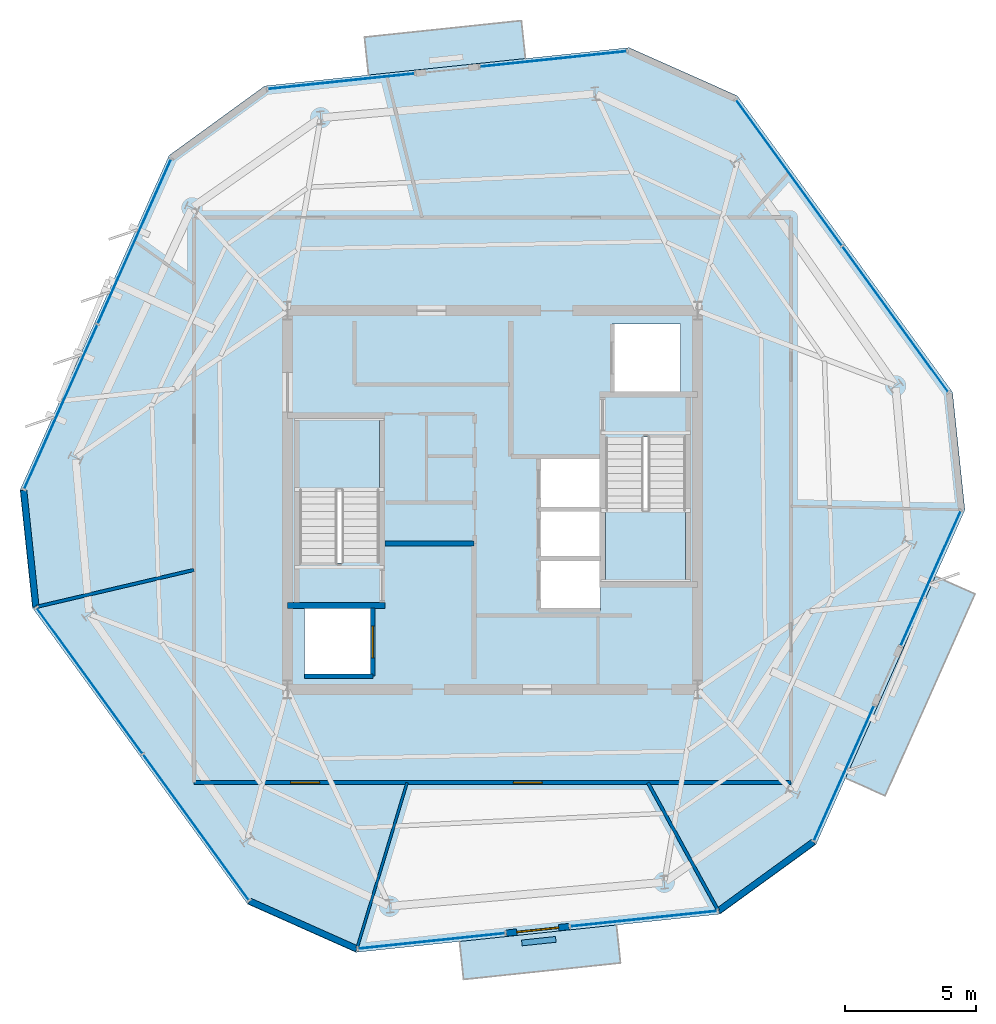
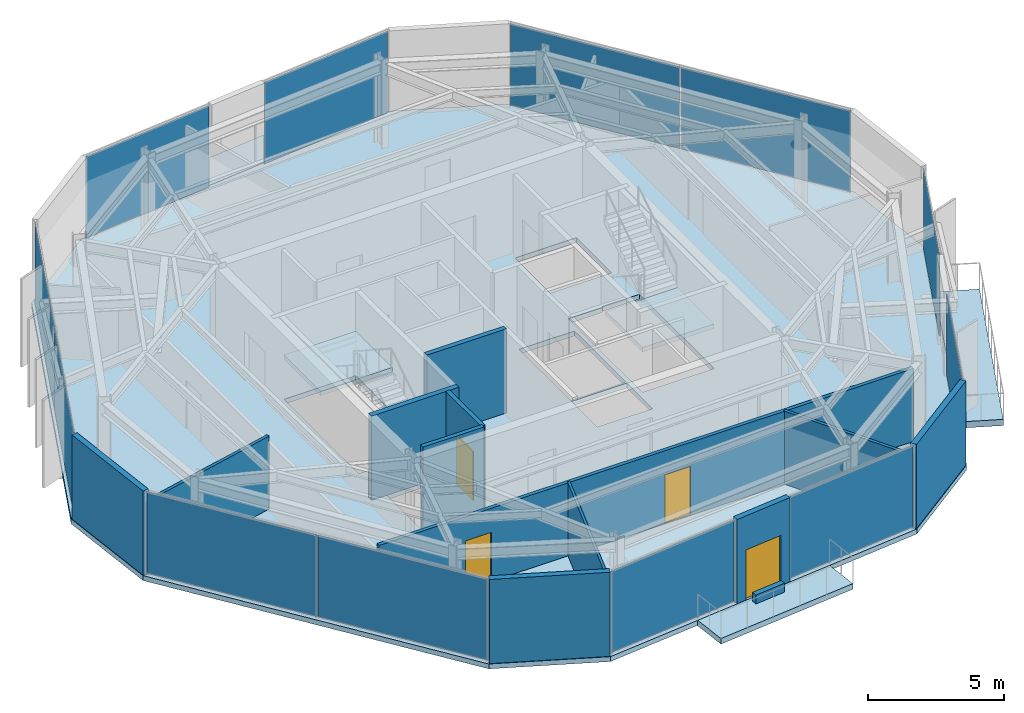
# One storey, part 6 of 11: 13 walls, 12 plates, 6 slabs, 4 doors, 4 openings, 11 elements without a shape of their own.
"""IFC4 building model written with IfcOpenShell, lengths in metres."""

from ifc_helpers import new_model, si_unit, direction, frame, frame_2d, origin, origin_2d, place, context, subcontext, project, spatial, polyline, rectangle, outline, extrude, material, layer, layer_set, type_object, element, fill, aggregate, save


model = new_model("IFC4")

# Units and contexts
model_context = context("Model", 3, precision=1e-05, world=origin(), true_north=direction((0.0, 1.0)))
body_context = subcontext(model_context, "Body", "Model", "MODEL_VIEW")
ifc_project = project(units=[si_unit("LENGTHUNIT", "METRE"), si_unit("AREAUNIT", "SQUARE_METRE"), si_unit("VOLUMEUNIT", "CUBIC_METRE"), si_unit("PLANEANGLEUNIT", "RADIAN"), si_unit("MASSUNIT", "GRAM", prefix="KILO")], contexts=[model_context])

# Site, building, storey
site_placement = place(None, origin())
site = spatial("IfcSite", under=ifc_project, at=site_placement, CompositionType="ELEMENT")
building_placement = place(site_placement, origin())
building = spatial("IfcBuilding", under=site, at=building_placement, Name="Kranzbogen Civic Tower", CompositionType="ELEMENT")
storey_placement = place(building_placement, frame((0.0, 0.0, 290.199951171875)))
storey = spatial("IfcBuildingStorey", under=building, at=storey_placement, Name="L70", CompositionType="ELEMENT", Elevation=290.199951171875)

# Slab
ifc_material_1 = material(Name="Concrete C40/50", Category="concrete")
ifc_layer_1 = layer(ifc_material_1, 0.219970703125, Name="Concrete C40/50")
ifc_layer_set_1 = layer_set([ifc_layer_1], Name="Concrete C40/50")
slab_type_1 = type_object("IfcSlabType", Name="Composite Upper Tower Floor Slab 220 mm", PredefinedType="FLOOR", material=ifc_layer_set_1)
slab_1_placement = place(storey_placement, frame((0.0, 0.0, -0.219970703125)))
element("IfcSlab", 1, at=slab_1_placement, inside=storey, type_object=slab_type_1, Name="L70 tower floor slab", PredefinedType="FLOOR", context=body_context, shape_type="SweptSolid", body=[
    extrude(outline(polyline([(30.197021484375, 42.2041015625), (16.340087890625, 40.748046875), (12.698974609375, 38.10302734375), (7.031982421875, 25.3740234375), (7.5029296875, 20.89892578125), (15.69189453125, 9.6259765625), (19.802978515625, 7.7958984375), (33.659912109375, 9.251953125), (37.301025390625, 11.89697265625), (42.968017578125, 24.6259765625), (42.4970703125, 29.10107421875), (34.30810546875, 40.3740234375), (30.197021484375, 42.2041015625)]), holes=[polyline([(17.85009765625, 20.89990234375), (20.449951171875, 20.89990234375), (20.449951171875, 18.300048828125), (17.85009765625, 18.300048828125), (17.85009765625, 20.89990234375)]), polyline([(29.10009765625, 22.699951171875), (29.10009765625, 20.800048828125), (26.75, 20.800048828125), (26.75, 22.699951171875), (29.10009765625, 22.699951171875)]), polyline([(29.10009765625, 24.64990234375), (29.10009765625, 22.77490234375), (26.75, 22.77490234375), (26.75, 24.64990234375), (26.75, 24.675048828125), (26.75, 26.550048828125), (29.10009765625, 26.550048828125), (29.10009765625, 24.675048828125), (29.10009765625, 24.64990234375)]), polyline([(29.300048828125, 27.340087890625), (30.75, 27.340087890625), (30.75, 27.39990234375), (32.35009765625, 27.39990234375), (32.35009765625, 21.89990234375), (29.300048828125, 21.89990234375), (29.300048828125, 27.340087890625)]), polyline([(20.699951171875, 22.659912109375), (19.25, 22.659912109375), (19.25, 22.60009765625), (17.64990234375, 22.60009765625), (17.64990234375, 28.10009765625), (20.699951171875, 28.10009765625), (20.699951171875, 22.659912109375)]), polyline([(32.14990234375, 31.699951171875), (32.14990234375, 29.10009765625), (29.550048828125, 29.10009765625), (29.550048828125, 31.699951171875), (32.14990234375, 31.699951171875)])]), origin(), (0.0, 0.0, 1.0), 0.219970703125),
])

# Curtain wall, plate
ifc_material_2 = material(Name="Pale Anodised Aluminium", Category="aluminium")
ifc_layer_2 = layer(ifc_material_2, 0.219970703125, Name="Pale Anodised Aluminium")
ifc_layer_set_2 = layer_set([ifc_layer_2], Name="Pale Anodised Aluminium")
curtain_wall_type = type_object("IfcCurtainWallType", Name="Zone 4 Stick Curtain Wall System CW-05", PredefinedType="USERDEFINED", material=ifc_layer_set_2)
curtain_wall_1_placement = place(storey_placement, origin())
curtain_wall_1 = element("IfcCurtainWall", 2, at=curtain_wall_1_placement, inside=storey, type_object=curtain_wall_type, Name="L70 curtain wall CW-L70-F1-S1", ObjectType="STICK CURTAIN WALL", PredefinedType="USERDEFINED")
ifc_material_3 = material(Name="Low-E Triple Glazing Glass", Category="glass")
ifc_layer_3 = layer(ifc_material_3, 0.028076171875, Name="Low-E Triple Glazing Glass")
ifc_layer_set_3 = layer_set([ifc_layer_3], Name="Low-E Triple Glazing Glass")
plate_type = type_object("IfcPlateType", Name="Insulated Low-E Glazing Panel 28 mm", PredefinedType="CURTAIN_PANEL", material=ifc_layer_set_3)
plate_1_placement = place(storey_placement, frame((27.31591796875, 41.771484375, 0.06005859375), z_axis=(0.0, 0.0, 1.0), x_axis=(-0.994525575058, -0.10449344743, 0.0)))
plate_1 = element("IfcPlate", 3, at=plate_1_placement, type_object=plate_type, Name="CW-05 panel 1.1", PredefinedType="CURTAIN_PANEL", context=body_context, shape_type="SweptSolid", body=[
    extrude(rectangle(XDim=5.59326171875, YDim=0.028076171875, at=origin_2d()), origin(), (0.0, 0.0, 1.0), 3.659912109375),
])
aggregate(curtain_wall_1, [plate_1])

curtain_wall_2_placement = place(storey_placement, origin())
curtain_wall_2 = element("IfcCurtainWall", 4, at=curtain_wall_2_placement, inside=storey, type_object=curtain_wall_type, Name="L70 curtain wall CW-L70-F1-S2", ObjectType="STICK CURTAIN WALL", PredefinedType="USERDEFINED")
plate_2_placement = place(storey_placement, frame((19.24755859375, 40.923583984375, 0.06005859375), z_axis=(0.0, 0.0, 1.0), x_axis=(-0.994523663418, -0.104511640032, 0.0)))
plate_2 = element("IfcPlate", 5, at=plate_2_placement, type_object=plate_type, Name="CW-05 panel 1.1", PredefinedType="CURTAIN_PANEL", context=body_context, shape_type="SweptSolid", body=[
    extrude(rectangle(XDim=5.59228515625, YDim=0.028076171875, at=origin_2d()), origin(), (0.0, 0.0, 1.0), 3.659912109375),
])
aggregate(curtain_wall_2, [plate_2])

# Curtain wall, plates
curtain_wall_3_placement = place(storey_placement, origin())
curtain_wall_3 = element("IfcCurtainWall", 6, at=curtain_wall_3_placement, inside=storey, type_object=curtain_wall_type, Name="L70 curtain wall CW-L70-F2", ObjectType="STICK CURTAIN WALL", PredefinedType="USERDEFINED")
plate_3_placement = place(storey_placement, frame((11.383056640625, 34.829833984375, 0.06005859375), z_axis=(0.0, 0.0, 1.0), x_axis=(-0.406722258153, -0.913551862087, 0.0)))
plate_3 = element("IfcPlate", 7, at=plate_3_placement, type_object=plate_type, Name="CW-05 panel 1.1", PredefinedType="CURTAIN_PANEL", context=body_context, shape_type="SweptSolid", body=[
    extrude(rectangle(XDim=6.822509765625, YDim=0.028076171875, at=origin_2d()), origin(), (0.0, 0.0, 1.0), 3.659912109375),
])
plate_4_placement = place(storey_placement, frame((8.583740234375, 28.542236328125, 0.06005859375), z_axis=(0.0, 0.0, 1.0), x_axis=(-0.406722258153, -0.913551862087, 0.0)))
plate_4 = element("IfcPlate", 8, at=plate_4_placement, type_object=plate_type, Name="CW-05 panel 2.1", PredefinedType="CURTAIN_PANEL", context=body_context, shape_type="SweptSolid", body=[
    extrude(rectangle(XDim=6.822509765625, YDim=0.028076171875, at=origin_2d()), origin(), (0.0, 0.0, 1.0), 3.659912109375),
])
aggregate(curtain_wall_3, [plate_3, plate_4])

curtain_wall_4_placement = place(storey_placement, origin())
curtain_wall_4 = element("IfcCurtainWall", 9, at=curtain_wall_4_placement, inside=storey, type_object=curtain_wall_type, Name="L70 curtain wall CW-L70-F3", ObjectType="STICK CURTAIN WALL", PredefinedType="USERDEFINED")
plate_5_placement = place(storey_placement, frame((9.67919921875, 18.12255859375, 0.06005859375), z_axis=(0.0, 0.0, 1.0), x_axis=(0.587767348667, -0.809030001817, 0.0)))
plate_5 = element("IfcPlate", 10, at=plate_5_placement, type_object=plate_type, Name="CW-05 panel 1.1", PredefinedType="CURTAIN_PANEL", context=body_context, shape_type="SweptSolid", body=[
    extrude(rectangle(XDim=6.822509765625, YDim=0.028076171875, at=origin_2d()), origin(), (0.0, 0.0, 1.0), 3.659912109375),
])
plate_6_placement = place(storey_placement, frame((13.724609375, 12.554443359375, 0.06005859375), z_axis=(0.0, 0.0, 1.0), x_axis=(0.587767348667, -0.809030001817, 0.0)))
plate_6 = element("IfcPlate", 11, at=plate_6_placement, type_object=plate_type, Name="CW-05 panel 2.1", PredefinedType="CURTAIN_PANEL", context=body_context, shape_type="SweptSolid", body=[
    extrude(rectangle(XDim=6.822509765625, YDim=0.028076171875, at=origin_2d()), origin(), (0.0, 0.0, 1.0), 3.659912109375),
])
aggregate(curtain_wall_4, [plate_5, plate_6])

# Curtain wall, plate
curtain_wall_5_placement = place(storey_placement, origin())
curtain_wall_5 = element("IfcCurtainWall", 12, at=curtain_wall_5_placement, inside=storey, type_object=curtain_wall_type, Name="L70 curtain wall CW-L70-F4-S1", ObjectType="STICK CURTAIN WALL", PredefinedType="USERDEFINED")
plate_7_placement = place(storey_placement, frame((22.68408203125, 8.228515625, 0.06005859375), z_axis=(0.0, 0.0, 1.0), x_axis=(0.994525575058, 0.10449344743, 0.0)))
plate_7 = element("IfcPlate", 13, at=plate_7_placement, type_object=plate_type, Name="CW-05 panel 1.1", PredefinedType="CURTAIN_PANEL", context=body_context, shape_type="SweptSolid", body=[
    extrude(rectangle(XDim=5.59326171875, YDim=0.028076171875, at=origin_2d()), origin(), (0.0, 0.0, 1.0), 3.659912109375),
])
aggregate(curtain_wall_5, [plate_7])

curtain_wall_6_placement = place(storey_placement, origin())
curtain_wall_6 = element("IfcCurtainWall", 14, at=curtain_wall_6_placement, inside=storey, type_object=curtain_wall_type, Name="L70 curtain wall CW-L70-F4-S2", ObjectType="STICK CURTAIN WALL", PredefinedType="USERDEFINED")
plate_8_placement = place(storey_placement, frame((30.75244140625, 9.076416015625, 0.06005859375), z_axis=(0.0, 0.0, 1.0), x_axis=(0.994523663418, 0.104511640032, 0.0)))
plate_8 = element("IfcPlate", 15, at=plate_8_placement, type_object=plate_type, Name="CW-05 panel 1.1", PredefinedType="CURTAIN_PANEL", context=body_context, shape_type="SweptSolid", body=[
    extrude(rectangle(XDim=5.59228515625, YDim=0.028076171875, at=origin_2d()), origin(), (0.0, 0.0, 1.0), 3.659912109375),
])
aggregate(curtain_wall_6, [plate_8])

curtain_wall_7_placement = place(storey_placement, origin())
curtain_wall_7 = element("IfcCurtainWall", 16, at=curtain_wall_7_placement, inside=storey, type_object=curtain_wall_type, Name="L70 curtain wall CW-L70-F5-S1", ObjectType="STICK CURTAIN WALL", PredefinedType="USERDEFINED")
plate_9_placement = place(storey_placement, frame((38.366943359375, 14.6083984375, 0.06005859375), z_axis=(0.0, 0.0, 1.0), x_axis=(0.406787988474, 0.913522595469, 0.0)))
plate_9 = element("IfcPlate", 17, at=plate_9_placement, type_object=plate_type, Name="CW-05 panel 1.1", PredefinedType="CURTAIN_PANEL", context=body_context, shape_type="SweptSolid", body=[
    extrude(rectangle(XDim=5.593017578125, YDim=0.028076171875, at=origin_2d()), origin(), (0.0, 0.0, 1.0), 3.659912109375),
])
aggregate(curtain_wall_7, [plate_9])

curtain_wall_8_placement = place(storey_placement, origin())
curtain_wall_8 = element("IfcCurtainWall", 18, at=curtain_wall_8_placement, inside=storey, type_object=curtain_wall_type, Name="L70 curtain wall CW-L70-F5-S2", ObjectType="STICK CURTAIN WALL", PredefinedType="USERDEFINED")
plate_10_placement = place(storey_placement, frame((41.66650390625, 22.02001953125, 0.06005859375), z_axis=(0.0, 0.0, 1.0), x_axis=(0.406706940752, 0.91355868139, 0.0)))
plate_10 = element("IfcPlate", 19, at=plate_10_placement, type_object=plate_type, Name="CW-05 panel 1.1", PredefinedType="CURTAIN_PANEL", context=body_context, shape_type="SweptSolid", body=[
    extrude(rectangle(XDim=5.591796875, YDim=0.028076171875, at=origin_2d()), origin(), (0.0, 0.0, 1.0), 3.659912109375),
])
aggregate(curtain_wall_8, [plate_10])

# Curtain wall, plates
curtain_wall_9_placement = place(storey_placement, origin())
curtain_wall_9 = element("IfcCurtainWall", 20, at=curtain_wall_9_placement, inside=storey, type_object=curtain_wall_type, Name="L70 curtain wall CW-L70-F6", ObjectType="STICK CURTAIN WALL", PredefinedType="USERDEFINED")
plate_11_placement = place(storey_placement, frame((40.32080078125, 31.87744140625, 0.06005859375), z_axis=(0.0, 0.0, 1.0), x_axis=(-0.587767348667, 0.809030001817, 0.0)))
plate_11 = element("IfcPlate", 21, at=plate_11_placement, type_object=plate_type, Name="CW-05 panel 1.1", PredefinedType="CURTAIN_PANEL", context=body_context, shape_type="SweptSolid", body=[
    extrude(rectangle(XDim=6.822509765625, YDim=0.028076171875, at=origin_2d()), origin(), (0.0, 0.0, 1.0), 3.659912109375),
])
plate_12_placement = place(storey_placement, frame((36.275390625, 37.445556640625, 0.06005859375), z_axis=(0.0, 0.0, 1.0), x_axis=(-0.587767348667, 0.809030001817, 0.0)))
plate_12 = element("IfcPlate", 22, at=plate_12_placement, type_object=plate_type, Name="CW-05 panel 2.1", PredefinedType="CURTAIN_PANEL", context=body_context, shape_type="SweptSolid", body=[
    extrude(rectangle(XDim=6.822509765625, YDim=0.028076171875, at=origin_2d()), origin(), (0.0, 0.0, 1.0), 3.659912109375),
])
aggregate(curtain_wall_9, [plate_11, plate_12])

# Stair, slab
ifc_material_4 = material(Name="Precast concrete C40/50", Category="concrete")
stair_type_1 = type_object("IfcStairType", Name="Tower Core Pressurized Dogleg Stair 1450", PredefinedType="HALF_TURN_STAIR", material=ifc_material_4)
stair_1_placement = place(storey_placement, origin())
stair_1 = element("IfcStair", 23, at=stair_1_placement, inside=storey, type_object=stair_type_1, Name="L70 Tower Core Pressurized Stair 1", PredefinedType="HALF_TURN_STAIR")
ifc_layer_4 = layer(ifc_material_4, 0.199951171875, Name="Precast concrete C40/50")
ifc_layer_set_4 = layer_set([ifc_layer_4], Name="Precast concrete C40/50")
slab_type_2 = type_object("IfcSlabType", Name="Precast Concrete Stair Landing Slab 200 mm", PredefinedType="LANDING", material=ifc_layer_set_4)
slab_2_placement = place(storey_placement, frame((0.0, 0.0, 1.800048828125)))
slab_2 = element("IfcSlab", 24, at=slab_2_placement, type_object=slab_type_2, Name="ST-T1 landing 1", PredefinedType="LANDING", context=body_context, shape_type="SweptSolid", body=[
    extrude(outline(polyline([(20.699951171875, 25.39990234375), (20.699951171875, 28.10009765625), (17.64990234375, 28.10009765625), (17.64990234375, 25.39990234375), (20.699951171875, 25.39990234375)])), origin(), (0.0, 0.0, 1.0), 0.199951171875),
])
aggregate(stair_1, [slab_2])

stair_type_2 = type_object("IfcStairType", Name="Tower Core Secondary Dogleg Stair 1450", PredefinedType="HALF_TURN_STAIR", material=ifc_material_4)
stair_2_placement = place(storey_placement, origin())
stair_2 = element("IfcStair", 25, at=stair_2_placement, inside=storey, type_object=stair_type_2, Name="L70 Tower Core Pressurized Stair 2", PredefinedType="HALF_TURN_STAIR")
slab_3_placement = place(storey_placement, frame((0.0, 0.0, 1.800048828125)))
slab_3 = element("IfcSlab", 26, at=slab_3_placement, type_object=slab_type_2, Name="ST-T2 landing 1", PredefinedType="LANDING", context=body_context, shape_type="SweptSolid", body=[
    extrude(outline(polyline([(29.300048828125, 24.60009765625), (29.300048828125, 21.89990234375), (32.35009765625, 21.89990234375), (32.35009765625, 24.60009765625), (29.300048828125, 24.60009765625)])), origin(), (0.0, 0.0, 1.0), 0.199951171875),
])
aggregate(stair_2, [slab_3])

# Slabs
ifc_layer_5 = layer(ifc_material_1, 0.280029296875, Name="Concrete C40/50")
ifc_layer_set_5 = layer_set([ifc_layer_5], Name="Concrete C40/50")
slab_type_3 = type_object("IfcSlabType", Name="Spiral Terrace Cantilevered Slab 280 mm", PredefinedType="FLOOR", material=ifc_layer_set_5)
slab_4_placement = place(storey_placement, frame((0.0, 0.0, -0.280029296875)))
element("IfcSlab", 27, at=slab_4_placement, inside=storey, type_object=slab_type_3, Name="L70 cantilevered spiral terrace L70-ST", PredefinedType="FLOOR", context=body_context, shape_type="SweptSolid", body=[
    extrude(outline(polyline([(38.426025390625, 14.425048828125), (41.843017578125, 22.09912109375), (43.35009765625, 21.427978515625), (39.93310546875, 13.75390625), (38.426025390625, 14.425048828125)])), origin(), (0.0, 0.0, 1.0), 0.280029296875),
])
ifc_layer_6 = layer(ifc_material_1, 0.25, Name="Concrete C40/50")
ifc_layer_set_6 = layer_set([ifc_layer_6], Name="Concrete C40/50")
slab_type_4 = type_object("IfcSlabType", Name="Tree Balcony Cantilevered Slab 250 mm", PredefinedType="FLOOR", material=ifc_layer_set_6)
slab_5_placement = place(storey_placement, frame((0.0, 0.0, -0.25)))
element("IfcSlab", 28, at=slab_5_placement, inside=storey, type_object=slab_type_4, Name="L70 cantilevered tree balcony L70-TB1", PredefinedType="FLOOR", context=body_context, shape_type="SweptSolid", body=[
    extrude(outline(polyline([(26.251953125, 41.7890625), (20.284912109375, 41.162109375), (20.133056640625, 42.60400390625), (26.10009765625, 43.23095703125), (26.251953125, 41.7890625)])), origin(), (0.0, 0.0, 1.0), 0.25),
])
slab_6_placement = place(storey_placement, frame((0.0, 0.0, -0.25)))
element("IfcSlab", 29, at=slab_6_placement, inside=storey, type_object=slab_type_4, Name="L70 cantilevered tree balcony L70-TB2", PredefinedType="FLOOR", context=body_context, shape_type="SweptSolid", body=[
    extrude(outline(polyline([(23.748046875, 8.2109375), (29.715087890625, 8.837890625), (29.866943359375, 7.39599609375), (23.89990234375, 6.76904296875), (23.748046875, 8.2109375)])), origin(), (0.0, 0.0, 1.0), 0.25),
])

# Wall, openings, doors
ifc_material_5 = material(Name="Double-Stud Acoustic Gypsum Partition")
ifc_layer_7 = layer(ifc_material_5, 0.14990234375, Name="Double-Stud Acoustic Gypsum Partition")
ifc_layer_set_7 = layer_set([ifc_layer_7], Name="Double-Stud Acoustic Gypsum Partition")
wall_type_1 = type_object("IfcWallType", Name="Acoustic Corridor and Clinical Partition 150 mm", PredefinedType="PARTITIONING", material=ifc_layer_set_7)
wall_1_placement = place(storey_placement, frame((36.35009765625, 14.25, 0.0), z_axis=(0.0, 0.0, 1.0), x_axis=(-1.0, 0.0, 0.0)))
wall_1 = element("IfcWall", 30, at=wall_1_placement, inside=storey, type_object=wall_type_1, Name="L70 corridor partition 03", PredefinedType="PARTITIONING", context=body_context, shape_type="SweptSolid", body=[
    extrude(rectangle(XDim=22.7001953125, YDim=0.14990234375, at=frame_2d((11.35009765625, 0.0))), origin(), (0.0, 0.0, 1.0), 3.280029296875),
])
opening_1_placement = place(wall_1_placement, frame((17.926025390625, 0.0, 0.0)))
opening_1 = element("IfcOpeningElement", 31, at=opening_1_placement, cuts=wall_1, Name="Opening D-COR60", PredefinedType="OPENING", context=body_context, shape_type="SweptSolid", body=[
    extrude(rectangle(XDim=1.10009765625, YDim=2.199951171875, at=frame_2d((0.550048828125, 1.10009765625))), frame((0.0, 0.0849609375, 0.0), z_axis=(0.0, -1.0, 0.0), x_axis=(1.0, 0.0, 0.0)), (0.0, 0.0, 1.0), 0.169921875),
])
opening_2_placement = place(wall_1_placement, frame((9.4580078125, 0.0, 0.0)))
opening_2 = element("IfcOpeningElement", 32, at=opening_2_placement, cuts=wall_1, Name="Opening D-COR60", PredefinedType="OPENING", context=body_context, shape_type="SweptSolid", body=[
    extrude(rectangle(XDim=1.10009765625, YDim=2.199951171875, at=frame_2d((0.550048828125, 1.10009765625))), frame((0.0, 0.0849609375, 0.0), z_axis=(0.0, -1.0, 0.0), x_axis=(1.0, 0.0, 0.0)), (0.0, 0.0, 1.0), 0.169921875),
])
ifc_material_6 = material(Name="Oak Timber and Fire Core", Category="wood")
door_type_1 = type_object("IfcDoorType", Name="Corridor Acoustic Fire Door 1100x2200", OperationType="NOTDEFINED", PredefinedType="DOOR", material=ifc_material_6)
door_1_placement = place(opening_1_placement, origin())
door_1 = element("IfcDoor", 33, at=door_1_placement, inside=storey, type_object=door_type_1, Name="L70 Public Delegation Reception door", OperationType="SINGLE_SWING_RIGHT", OverallHeight=2.199951171875, OverallWidth=1.10009765625, PredefinedType="DOOR", context=body_context, shape_type="SweptSolid", body=[
    extrude(rectangle(XDim=1.10009765625, YDim=2.199951171875, at=frame_2d((0.550048828125, 1.10009765625))), frame((0.0, 0.02490234375, 0.0), z_axis=(0.0, -1.0, 0.0), x_axis=(1.0, 0.0, 0.0)), (0.0, 0.0, 1.0), 0.050048828125),
])
fill(opening_1, door_1)
door_2_placement = place(opening_2_placement, origin())
door_2 = element("IfcDoor", 34, at=door_2_placement, inside=storey, type_object=door_type_1, Name="L70 Visitor Concierge Foyer door", OperationType="SINGLE_SWING_LEFT", OverallHeight=2.199951171875, OverallWidth=1.10009765625, PredefinedType="DOOR", context=body_context, shape_type="SweptSolid", body=[
    extrude(rectangle(XDim=1.10009765625, YDim=2.199951171875, at=frame_2d((0.550048828125, 1.10009765625))), frame((0.0, 0.02490234375, 0.0), z_axis=(0.0, -1.0, 0.0), x_axis=(1.0, 0.0, 0.0)), (0.0, 0.0, 1.0), 0.050048828125),
])
fill(opening_2, door_2)

# Walls
ifc_material_7 = material(Name="Insulated Metal-Stud Gypsum Partition")
ifc_layer_8 = layer(ifc_material_7, 0.125, Name="Insulated Metal-Stud Gypsum Partition")
ifc_layer_set_8 = layer_set([ifc_layer_8], Name="Insulated Metal-Stud Gypsum Partition")
wall_type_2 = type_object("IfcWallType", Name="Acoustic Inter-Room Partition 125 mm", PredefinedType="PARTITIONING", material=ifc_layer_set_8)
wall_2_placement = place(storey_placement, frame((13.64990234375, 22.340087890625, 0.0), z_axis=(0.0, 0.0, 1.0), x_axis=(-0.973608738479, -0.228223627956, 0.0)))
element("IfcWall", 35, at=wall_2_placement, inside=storey, type_object=wall_type_2, Name="L70 radial room partition 03", PredefinedType="PARTITIONING", context=body_context, shape_type="SweptSolid", body=[
    extrude(rectangle(XDim=6.15625, YDim=0.125, at=frame_2d((3.078125, 0.0))), origin(), (0.0, 0.0, 1.0), 3.280029296875),
])
wall_3_placement = place(storey_placement, frame((30.912109375, 14.25, 0.0), z_axis=(0.0, 0.0, 1.0), x_axis=(0.481754828114, -0.876306045619, 0.0)))
element("IfcWall", 36, at=wall_3_placement, inside=storey, type_object=wall_type_2, Name="L70 radial room partition 05", PredefinedType="PARTITIONING", context=body_context, shape_type="SweptSolid", body=[
    extrude(rectangle(XDim=5.546142578125, YDim=0.125, at=frame_2d((2.77294921875, 0.0))), origin(), (0.0, 0.0, 1.0), 3.280029296875),
])
ifc_material_8 = material(Name="Architectural Precast Terracotta Concrete C40/50", Category="masonry")
ifc_layer_9 = layer(ifc_material_8, 0.219970703125, Name="Architectural Precast Terracotta Concrete C40/50")
ifc_layer_set_9 = layer_set([ifc_layer_9], Name="Architectural Precast Terracotta Concrete C40/50")
wall_type_3 = type_object("IfcWallType", Name="Architectural Tree Planter Kerb Wall 220 mm", PredefinedType="USERDEFINED", material=ifc_layer_set_9)
wall_4_placement = place(storey_placement, frame((26.116943359375, 8.154052734375, 0.0), z_axis=(0.0, 0.0, 1.0), x_axis=(0.994506482607, 0.104675002043, 0.0)))
element("IfcWall", 37, at=wall_4_placement, inside=storey, type_object=wall_type_3, Name="L70 landscaped tree balcony planter L70-TB2", ObjectType="PLANTER_WALL", PredefinedType="USERDEFINED", context=body_context, shape_type="SweptSolid", body=[
    extrude(rectangle(XDim=1.299072265625, YDim=0.219970703125, at=frame_2d((0.6494140625, 0.0))), origin(), (0.0, 0.0, 1.0), 0.400146484375),
])
ifc_material_9 = material(Name="Concrete C45/55", Category="concrete")
ifc_layer_10 = layer(ifc_material_9, 0.219970703125, Name="Concrete C45/55")
ifc_layer_set_10 = layer_set([ifc_layer_10], Name="Concrete C45/55")
wall_type_4 = type_object("IfcWallType", Name="Core Internal Stair Structural Wall 220 mm", PredefinedType="SOLIDWALL", material=ifc_layer_set_10)
wall_5_placement = place(storey_placement, frame((17.199951171875, 20.989990234375, 0.0), z_axis=(0.0, 0.0, 1.0), x_axis=(1.0, 0.0, 0.0)))
element("IfcWall", 38, at=wall_5_placement, inside=storey, type_object=wall_type_4, Name="L70 ST-T1 South structural stair wall", PredefinedType="SOLIDWALL", context=body_context, shape_type="SweptSolid", body=[
    extrude(rectangle(XDim=3.719970703125, YDim=0.219970703125, at=frame_2d((1.85986328125, 0.0))), origin(), (0.0, 0.0, 1.0), 3.780029296875),
])
ifc_material_10 = material(Name="Demountable Aluminium and Gypsum Partition", Category="aluminium")
ifc_layer_11 = layer(ifc_material_10, 0.10009765625, Name="Demountable Aluminium and Gypsum Partition")
ifc_layer_set_11 = layer_set([ifc_layer_11], Name="Demountable Aluminium and Gypsum Partition")
wall_type_5 = type_object("IfcWallType", Name="Demountable Office Partition 100 mm", PredefinedType="MOVABLE", material=ifc_layer_set_11)
wall_6_placement = place(storey_placement, frame((21.7529296875, 14.25, 0.0), z_axis=(0.0, 0.0, 1.0), x_axis=(-0.289316815041, -0.957233399195, 0.0)))
element("IfcWall", 39, at=wall_6_placement, inside=storey, type_object=wall_type_5, Name="L70 radial room partition 04", PredefinedType="MOVABLE", context=body_context, shape_type="SweptSolid", body=[
    extrude(rectangle(XDim=6.58447265625, YDim=0.10009765625, at=frame_2d((3.292236328125, 0.0))), origin(), (0.0, 0.0, 1.0), 3.280029296875),
])
ifc_material_11 = material(Name="Gypsum Fireboard and Concrete Block", Category="concrete")
ifc_layer_12 = layer(ifc_material_11, 0.199951171875, Name="Gypsum Fireboard and Concrete Block")
ifc_layer_set_12 = layer_set([ifc_layer_12], Name="Gypsum Fireboard and Concrete Block")
wall_type_6 = type_object("IfcWallType", Name="Fire-Rated Exit Passageway and Stair Wall 200 mm", PredefinedType="PARTITIONING", material=ifc_layer_set_12)
wall_7_placement = place(storey_placement, frame((20.919921875, 23.35009765625, 0.0), z_axis=(0.0, 0.0, 1.0), x_axis=(1.0, 0.0, 0.0)))
element("IfcWall", 40, at=wall_7_placement, inside=storey, type_object=wall_type_6, Name="L70 West firefighting lobby North wall", PredefinedType="PARTITIONING", context=body_context, shape_type="SweptSolid", body=[
    extrude(rectangle(XDim=3.380126953125, YDim=0.199951171875, at=frame_2d((1.68994140625, 0.0))), origin(), (0.0, 0.0, 1.0), 3.780029296875),
])

# Wall, opening, door
ifc_material_12 = material(Name="Gypsum Fireboard Shaftliner")
ifc_layer_13 = layer(ifc_material_12, 0.175048828125, Name="Gypsum Fireboard Shaftliner")
ifc_layer_set_13 = layer_set([ifc_layer_13], Name="Gypsum Fireboard Shaftliner")
wall_type_7 = type_object("IfcWallType", Name="Fire-Rated Lift and Service Shaft Wall 175 mm", PredefinedType="PARTITIONING", material=ifc_layer_set_13)
wall_8_placement = place(storey_placement, frame((20.449951171875, 18.300048828125, 0.0), z_axis=(0.0, 0.0, 1.0), x_axis=(0.0, 1.0, 0.0)))
wall_8 = element("IfcWall", 41, at=wall_8_placement, inside=storey, type_object=wall_type_7, Name="L70 lift FF-01 landing wall", PredefinedType="PARTITIONING", context=body_context, shape_type="SweptSolid", body=[
    extrude(rectangle(XDim=2.599853515625, YDim=0.175048828125, at=frame_2d((1.2998046875, 0.0))), origin(), (0.0, 0.0, 1.0), 3.780029296875),
])
opening_3_placement = place(wall_8_placement, frame((0.699951171875, 0.0, 0.0)))
opening_3 = element("IfcOpeningElement", 42, at=opening_3_placement, cuts=wall_8, Name="Opening LD-FF-01", PredefinedType="OPENING", context=body_context, shape_type="SweptSolid", body=[
    extrude(rectangle(XDim=1.199951171875, YDim=2.199951171875, at=frame_2d((0.60009765625, 1.10009765625))), frame((0.0, 0.09765625, 0.0), z_axis=(0.0, -1.0, 0.0), x_axis=(1.0, 0.0, 0.0)), (0.0, 0.0, 1.0), 0.195068359375),
])
door_type_2 = type_object("IfcDoorType", Name="Firefighting and Stretcher Lift Sliding Landing Door 1200x2200", OperationType="DOUBLE_DOOR_SLIDING", PredefinedType="DOOR", material=ifc_material_2)
door_3_placement = place(opening_3_placement, origin())
door_3 = element("IfcDoor", 43, at=door_3_placement, inside=storey, type_object=door_type_2, Name="L70 lift FF-01 sliding landing door", OperationType="DOUBLE_DOOR_SLIDING", OverallHeight=2.199951171875, OverallWidth=1.199951171875, PredefinedType="DOOR", context=body_context, shape_type="SweptSolid", body=[
    extrude(rectangle(XDim=1.199951171875, YDim=2.199951171875, at=frame_2d((0.60009765625, 1.10009765625))), frame((0.0, 0.02490234375, 0.0), z_axis=(0.0, -1.0, 0.0), x_axis=(1.0, 0.0, 0.0)), (0.0, 0.0, 1.0), 0.050048828125),
])
fill(opening_3, door_3)

# Walls
wall_9_placement = place(storey_placement, frame((17.85009765625, 18.300048828125, 0.0), z_axis=(0.0, 0.0, 1.0), x_axis=(1.0, 0.0, 0.0)))
element("IfcWall", 44, at=wall_9_placement, inside=storey, type_object=wall_type_7, Name="L70 lift FF-01 side wall", PredefinedType="PARTITIONING", context=body_context, shape_type="SweptSolid", body=[
    extrude(rectangle(XDim=2.599853515625, YDim=0.175048828125, at=frame_2d((1.2998046875, 0.0))), origin(), (0.0, 0.0, 1.0), 3.780029296875),
])
ifc_layer_14 = layer(ifc_material_2, 0.239990234375, Name="Pale Anodised Aluminium")
ifc_layer_set_14 = layer_set([ifc_layer_14], Name="Pale Anodised Aluminium")
wall_type_8 = type_object("IfcWallType", Name="Insulated Aluminium Facade Portal Wall 240 mm", PredefinedType="STANDARD", material=ifc_layer_set_14)
wall_10_placement = place(storey_placement, frame((7.172119140625, 25.37109375, 0.0), z_axis=(0.0, 0.0, 1.0), x_axis=(0.104553844109, -0.994519227407, 0.0)))
element("IfcWall", 45, at=wall_10_placement, inside=storey, type_object=wall_type_8, Name="L70 chamfered corner facade spandrel 2", PredefinedType="STANDARD", context=body_context, shape_type="SweptSolid", body=[
    extrude(rectangle(XDim=4.464599609375, YDim=0.239990234375, at=frame_2d((2.232421875, 0.0))), origin(), (0.0, 0.0, 1.0), 3.780029296875),
])
wall_11_placement = place(storey_placement, frame((15.764892578125, 9.74609375, 0.0), z_axis=(0.0, 0.0, 1.0), x_axis=(0.913506843716, -0.406823360297, 0.0)))
element("IfcWall", 46, at=wall_11_placement, inside=storey, type_object=wall_type_8, Name="L70 chamfered corner facade spandrel 3", PredefinedType="STANDARD", context=body_context, shape_type="SweptSolid", body=[
    extrude(rectangle(XDim=4.46435546875, YDim=0.239990234375, at=frame_2d((2.232177734375, 0.0))), origin(), (0.0, 0.0, 1.0), 3.780029296875),
])

# Wall, opening, door
wall_12_placement = place(storey_placement, frame((25.52490234375, 8.527099609375, 0.0), z_axis=(0.0, 0.0, 1.0), x_axis=(0.994518820344, 0.104557716027, 0.0)))
wall_12 = element("IfcWall", 47, at=wall_12_placement, inside=storey, type_object=wall_type_8, Name="L70 exterior entrance portal wall 1", PredefinedType="STANDARD", context=body_context, shape_type="SweptSolid", body=[
    extrude(rectangle(XDim=2.400390625, YDim=0.239990234375, at=frame_2d((1.2001953125, 0.0))), origin(), (0.0, 0.0, 1.0), 3.780029296875),
])
opening_4_placement = place(wall_12_placement, frame((0.39990234375, 0.0, 0.0)))
opening_4 = element("IfcOpeningElement", 48, at=opening_4_placement, cuts=wall_12, Name="Opening D-TER", PredefinedType="OPENING", context=body_context, shape_type="SweptSolid", body=[
    extrude(rectangle(XDim=1.60009765625, YDim=2.25, at=frame_2d((0.800048828125, 1.125))), frame((0.0, 0.1298828125, 0.0), z_axis=(0.0, -1.0, 0.0), x_axis=(1.0, 0.0, 0.0)), (0.0, 0.0, 1.0), 0.260009765625),
])
ifc_material_13 = material(Name="Anodised Bronze and Triple Glass", Category="glass")
door_type_3 = type_object("IfcDoorType", Name="Glazed Terrace and Balcony Double Door 1600x2250", OperationType="DOUBLE_DOOR_SINGLE_SWING", PredefinedType="DOOR", material=ifc_material_13)
door_4_placement = place(opening_4_placement, frame((1.60009765625, 0.0, 0.0), z_axis=(0.0, 0.0, 1.0), x_axis=(-1.0, 0.0, 0.0)))
door_4 = element("IfcDoor", 49, at=door_4_placement, inside=storey, type_object=door_type_3, Name="L70 tree balcony access door L70-TB2", OperationType="DOUBLE_DOOR_SINGLE_SWING", OverallHeight=2.25, OverallWidth=1.60009765625, PredefinedType="DOOR", context=body_context, shape_type="SweptSolid", body=[
    extrude(rectangle(XDim=1.60009765625, YDim=2.25, at=frame_2d((0.800048828125, 1.125))), frame((0.0, 0.02490234375, 0.0), z_axis=(0.0, -1.0, 0.0), x_axis=(1.0, 0.0, 0.0)), (0.0, 0.0, 1.0), 0.050048828125),
])
fill(opening_4, door_4)

# Wall
wall_13_placement = place(storey_placement, frame((33.593017578125, 9.375, 0.0), z_axis=(0.0, 0.0, 1.0), x_axis=(0.809048111957, 0.587742420231, 0.0)))
element("IfcWall", 50, at=wall_13_placement, inside=storey, type_object=wall_type_8, Name="L70 chamfered corner facade spandrel 4", PredefinedType="STANDARD", context=body_context, shape_type="SweptSolid", body=[
    extrude(rectangle(XDim=4.464599609375, YDim=0.239990234375, at=frame_2d((2.232421875, 0.0))), origin(), (0.0, 0.0, 1.0), 3.780029296875),
])

save(model, "model.ifc")
